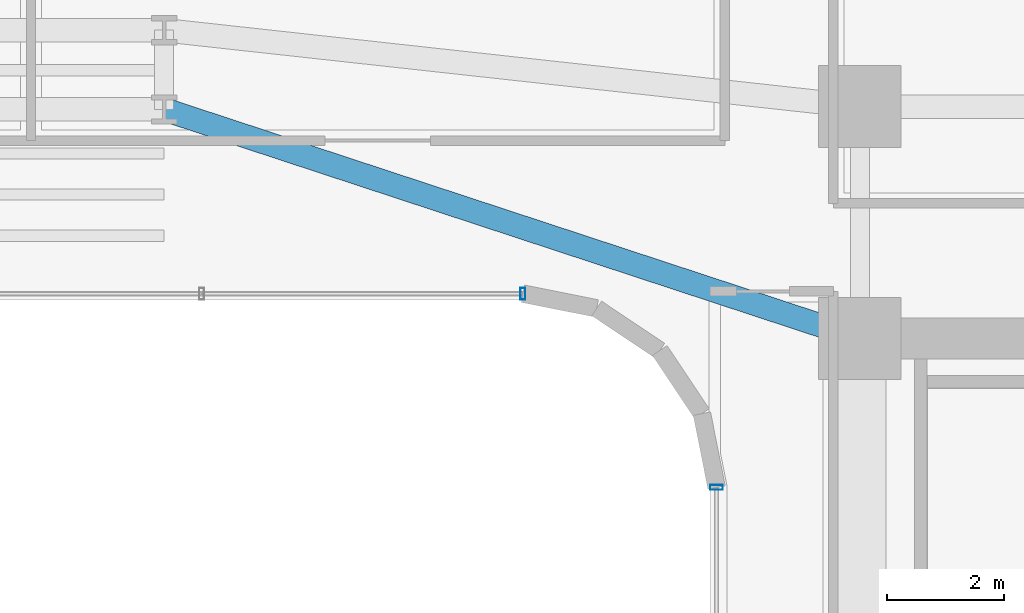
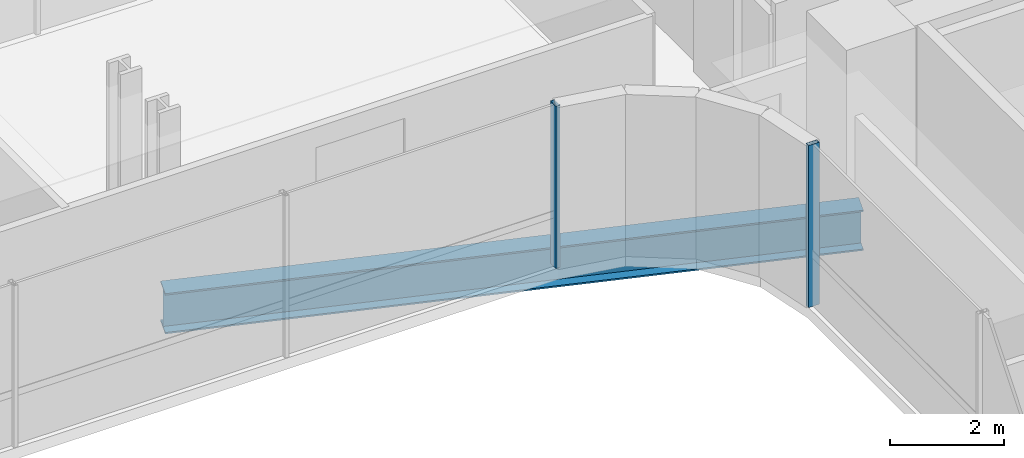
# One storey, part 17 of 40: 2 members, 1 beam, 2 elements without a shape of their own.
"""IFC4 building model written with IfcOpenShell, lengths in metres."""

from ifc_helpers import new_model, si_unit, direction, frame, origin, origin_2d, place, context, subcontext, project, spatial, hollow_rectangle, i_section, extrude, source, transform, mapped, material, material_profile, profile_set, type_object, element, aggregate, save


model = new_model("IFC4")

# Units and contexts
model_context = context("Model", 3, precision=1e-05, world=origin(), true_north=direction((0.0, 1.0)))
body_context = subcontext(model_context, "Body", "Model", "MODEL_VIEW")
ifc_project = project(units=[si_unit("LENGTHUNIT", "METRE"), si_unit("AREAUNIT", "SQUARE_METRE"), si_unit("VOLUMEUNIT", "CUBIC_METRE"), si_unit("PLANEANGLEUNIT", "RADIAN"), si_unit("MASSUNIT", "GRAM", prefix="KILO")], contexts=[model_context])

# Site, building, storey
site_placement = place(None, origin())
site = spatial("IfcSite", under=ifc_project, at=site_placement, CompositionType="ELEMENT")
building_placement = place(site_placement, origin())
building = spatial("IfcBuilding", under=site, at=building_placement, Name="Valdorenza Pilgrim Sanctuary Tower", CompositionType="ELEMENT")
storey_placement = place(building_placement, frame((0.0, 0.0, 48.199951171875)))
storey = spatial("IfcBuildingStorey", under=building, at=storey_placement, Name="L11", CompositionType="ELEMENT", Elevation=48.199951171875)

# Beam
ifc_material_1 = material(Name="Steel ASTM A992 Grade 50", Category="steel")
ifc_material_profile_1 = material_profile(ifc_material_1, i_section(OverallWidth=0.39990234375, OverallDepth=0.862060546875, WebThickness=0.019775390625, FlangeThickness=0.032470703125, at=origin_2d()), Name="W33X221")
ifc_profile_set_1 = profile_set([ifc_material_profile_1], Name="Steel ASTM A992 Grade 50")
beam_type = type_object("IfcBeamType", Name="STR-BM-GRD-W33", PredefinedType="BEAM", material=ifc_profile_set_1)
shared_shape_1 = source(origin(), body_context, "Body", "SweptSolid", [
    extrude(i_section(OverallWidth=0.39990234375, OverallDepth=0.862060546875, WebThickness=0.019775390625, FlangeThickness=0.032470703125, at=origin_2d()), origin(), (0.0, 0.0, 1.0), 12.475341796875),
])
beam_placement = place(storey_placement, frame((4.0, 13.449951171875, -0.6708984375), z_axis=(0.949881908141, -0.312608957943, 0.0), x_axis=(0.312608957943, 0.949881908141, 0.0)))
element("IfcBeam", 1, at=beam_placement, inside=storey, type_object=beam_type, Name="L11 Floor Girder KNK-G3", PredefinedType="BEAM", context=body_context, shape_type="MappedRepresentation", body=[
    mapped(shared_shape_1, transform((0.0, 0.0, 0.0), x_axis=(1.0, 0.0, 0.0), y_axis=(0.0, 1.0, 0.0), z_axis=(0.0, 0.0, 1.0), scale=1.0)),
])

# Curtain wall, member
ifc_material_2 = material(Name="Curtain-wall IGU glazing", Category="glass")
curtain_wall_type_1 = type_object("IfcCurtainWallType", Name="CW-SYS-02", PredefinedType="NOTDEFINED", material=ifc_material_2)
curtain_wall_1_placement = place(storey_placement, origin())
curtain_wall_1 = element("IfcCurtainWall", 2, at=curtain_wall_1_placement, inside=storey, type_object=curtain_wall_type_1, Name="L11 Curtain Wall CW-L11-1-36", PredefinedType="NOTDEFINED")
ifc_material_3 = material(Name="Anodised aluminium AW-6060", Category="aluminium")
ifc_material_profile_2 = material_profile(ifc_material_3, hollow_rectangle(XDim=0.0849609375, YDim=0.199951171875, WallThickness=0.0048828125, at=origin_2d()), Name="ALU-M 200x85x5")
ifc_profile_set_2 = profile_set([ifc_material_profile_2], Name="Anodised aluminium AW-6060")
member_type_1 = type_object("IfcMemberType", Name="CW-MUL-02", PredefinedType="MULLION", material=ifc_profile_set_2)
shared_shape_2 = source(origin(), body_context, "Body", "SweptSolid", [
    extrude(hollow_rectangle(XDim=0.0849609375, YDim=0.199951171875, WallThickness=0.0048828125, at=origin_2d()), origin(), (0.0, 0.0, 1.0), 3.4599609375),
])
member_1_placement = place(storey_placement, frame((10.11083984375, 10.31005859375, 0.0), z_axis=(0.0, 0.0, 1.0), x_axis=(-1.0, 0.0, 0.0)))
member_1 = element("IfcMember", 3, at=member_1_placement, type_object=member_type_1, Name="CW-L11-1-36 Mullion 1", PredefinedType="MULLION", context=body_context, shape_type="MappedRepresentation", body=[
    mapped(shared_shape_2, transform((0.0, 0.0, 0.0), x_axis=(1.0, 0.0, 0.0), y_axis=(0.0, 1.0, 0.0), z_axis=(0.0, 0.0, 1.0), scale=1.0)),
])
aggregate(curtain_wall_1, [member_1])

curtain_wall_type_2 = type_object("IfcCurtainWallType", Name="CW-SYS-03", PredefinedType="NOTDEFINED", material=ifc_material_2)
curtain_wall_2_placement = place(storey_placement, origin())
curtain_wall_2 = element("IfcCurtainWall", 4, at=curtain_wall_2_placement, inside=storey, type_object=curtain_wall_type_2, Name="L11 Curtain Wall CW-L11-1-31", PredefinedType="NOTDEFINED")
ifc_material_profile_3 = material_profile(ifc_material_3, hollow_rectangle(XDim=0.0849609375, YDim=0.219970703125, WallThickness=0.0048828125, at=origin_2d()), Name="ALU-M 220x85x5")
ifc_profile_set_3 = profile_set([ifc_material_profile_3], Name="Anodised aluminium AW-6060")
member_type_2 = type_object("IfcMemberType", Name="CW-MUL-03", PredefinedType="MULLION", material=ifc_profile_set_3)
shared_shape_3 = source(origin(), body_context, "Body", "SweptSolid", [
    extrude(hollow_rectangle(XDim=0.0849609375, YDim=0.219970703125, WallThickness=0.0048828125, at=origin_2d()), origin(), (0.0, 0.0, 1.0), 3.4599609375),
])
member_2_placement = place(storey_placement, frame((13.409912109375, 7.0107421875, 0.0), z_axis=(0.0, 0.0, 1.0), x_axis=(0.0, 1.0, 0.0)))
member_2 = element("IfcMember", 5, at=member_2_placement, type_object=member_type_2, Name="CW-L11-1-31 Mullion 4", PredefinedType="MULLION", context=body_context, shape_type="MappedRepresentation", body=[
    mapped(shared_shape_3, transform((0.0, 0.0, 0.0), x_axis=(1.0, 0.0, 0.0), y_axis=(0.0, 1.0, 0.0), z_axis=(0.0, 0.0, 1.0), scale=1.0)),
])
aggregate(curtain_wall_2, [member_2])

save(model, "model.ifc")
